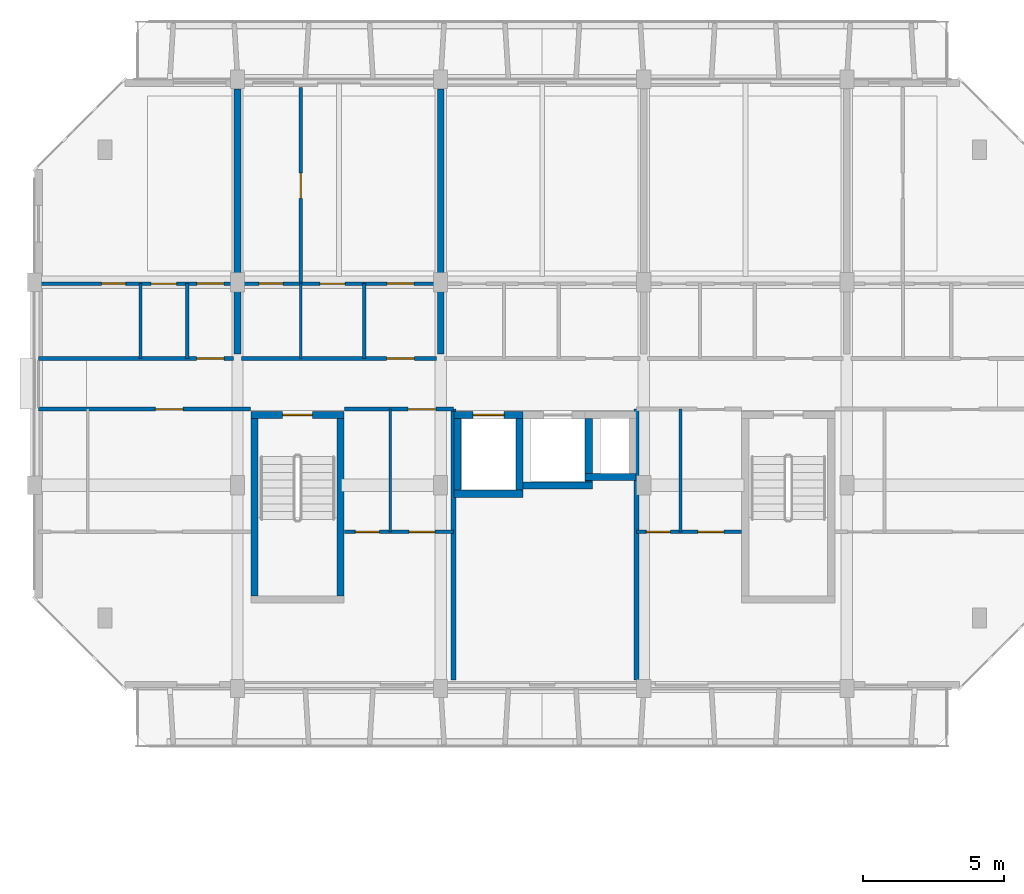
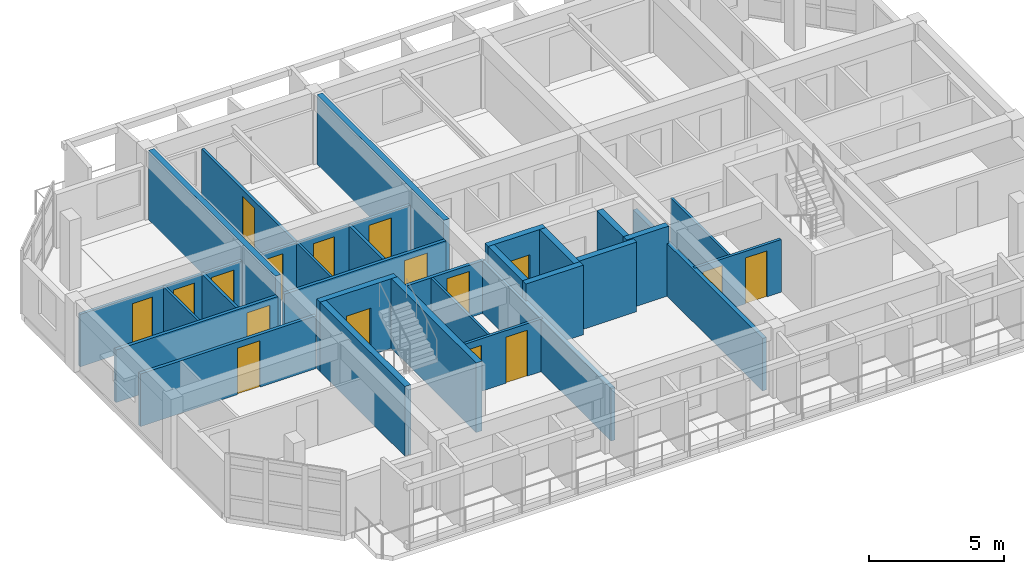
# One storey, part 18 of 43: 29 walls, 17 doors, 17 openings.
"""IFC4 building model written with IfcOpenShell, lengths in metres."""

from ifc_helpers import new_model, si_unit, direction, frame, frame_2d, origin, place, context, subcontext, project, spatial, rectangle, extrude, material, layer, layer_set, type_object, element, fill, save


model = new_model("IFC4")

# Units and contexts
model_context = context("Model", 3, precision=1e-05, world=origin(), true_north=direction((0.0, 1.0)))
body_context = subcontext(model_context, "Body", "Model", "MODEL_VIEW")
ifc_project = project(units=[si_unit("LENGTHUNIT", "METRE"), si_unit("AREAUNIT", "SQUARE_METRE"), si_unit("VOLUMEUNIT", "CUBIC_METRE"), si_unit("PLANEANGLEUNIT", "RADIAN"), si_unit("MASSUNIT", "GRAM", prefix="KILO")], contexts=[model_context])

# Site, building, storey
site_placement = place(None, origin())
site = spatial("IfcSite", under=ifc_project, at=site_placement, CompositionType="ELEMENT")
building_placement = place(site_placement, origin())
building = spatial("IfcBuilding", under=site, at=building_placement, Name="Ochrevale Crest", CompositionType="ELEMENT")
storey_placement = place(building_placement, frame((0.0, 0.0, 15.0)))
storey = spatial("IfcBuildingStorey", under=building, at=storey_placement, Name="L04", CompositionType="ELEMENT", Elevation=15.0)

# Wall, opening, door
ifc_material_1 = material(Name="Gypsum plasterboard", Category="gypsum")
ifc_layer_1 = layer(ifc_material_1, 0.139892578125)
ifc_layer_set_1 = layer_set([ifc_layer_1], Name="Gypsum plasterboard")
wall_type_1 = type_object("IfcWallType", Name="WL-COR-140", PredefinedType="PARTITIONING", material=ifc_layer_set_1)
wall_1_placement = place(storey_placement, frame((0.139892578125, 83.699951171875, 0.0), z_axis=(0.0, 0.0, 1.0), x_axis=(1.0, 0.0, 0.0)))
wall_1 = element("IfcWall", 1, at=wall_1_placement, inside=storey, type_object=wall_type_1, Name="Apartment B-L04-U1 corridor wall", PredefinedType="PARTITIONING", context=body_context, shape_type="SweptSolid", body=[
    extrude(rectangle(XDim=6.920166015625, YDim=0.139892578125, at=frame_2d((3.4599609375, 0.0))), origin(), (0.0, 0.0, 1.0), 2.3798828125),
])
opening_1_placement = place(wall_1_placement, frame((5.60498046875, 0.0, 0.0)))
opening_1 = element("IfcOpeningElement", 2, at=opening_1_placement, cuts=wall_1, Name="Opening FD01", PredefinedType="OPENING", context=body_context, shape_type="SweptSolid", body=[
    extrude(rectangle(XDim=0.97998046875, YDim=2.10009765625, at=frame_2d((0.489990234375, 1.050048828125))), frame((0.0, 0.080078125, 0.0), z_axis=(0.0, -1.0, 0.0), x_axis=(1.0, 0.0, 0.0)), (0.0, 0.0, 1.0), 0.159912109375),
])
ifc_material_2 = material(Name="Solid-core FSC hardwood", Category="wood")
door_type_1 = type_object("IfcDoorType", Name="DR-APT-950", OperationType="NOTDEFINED", PredefinedType="DOOR", material=ifc_material_2)
door_1_placement = place(opening_1_placement, origin())
door_1 = element("IfcDoor", 3, at=door_1_placement, inside=storey, type_object=door_type_1, Name="Apartment B-L04-U1 entrance door", OperationType="SINGLE_SWING_LEFT", OverallHeight=2.10009765625, OverallWidth=0.97998046875, PredefinedType="DOOR", context=body_context, shape_type="SweptSolid", body=[
    extrude(rectangle(XDim=0.97998046875, YDim=2.10009765625, at=frame_2d((0.489990234375, 1.050048828125))), frame((0.0, 0.02490234375, 0.0), z_axis=(0.0, -1.0, 0.0), x_axis=(1.0, 0.0, 0.0)), (0.0, 0.0, 1.0), 0.050048828125),
])
fill(opening_1, door_1)

wall_2_placement = place(storey_placement, frame((7.340087890625, 83.699951171875, 0.0), z_axis=(0.0, 0.0, 1.0), x_axis=(1.0, 0.0, 0.0)))
wall_2 = element("IfcWall", 4, at=wall_2_placement, inside=storey, type_object=wall_type_1, Name="Apartment B-L04-U2 corridor wall", PredefinedType="PARTITIONING", context=body_context, shape_type="SweptSolid", body=[
    extrude(rectangle(XDim=6.919921875, YDim=0.139892578125, at=frame_2d((3.4599609375, 0.0))), origin(), (0.0, 0.0, 1.0), 2.3798828125),
])
opening_2_placement = place(wall_2_placement, frame((5.14501953125, 0.0, 0.0)))
opening_2 = element("IfcOpeningElement", 5, at=opening_2_placement, cuts=wall_2, Name="Opening FD01", PredefinedType="OPENING", context=body_context, shape_type="SweptSolid", body=[
    extrude(rectangle(XDim=0.97998046875, YDim=2.10009765625, at=frame_2d((0.489990234375, 1.050048828125))), frame((0.0, 0.080078125, 0.0), z_axis=(0.0, -1.0, 0.0), x_axis=(1.0, 0.0, 0.0)), (0.0, 0.0, 1.0), 0.159912109375),
])
door_2_placement = place(opening_2_placement, origin())
door_2 = element("IfcDoor", 6, at=door_2_placement, inside=storey, type_object=door_type_1, Name="Apartment B-L04-U2 entrance door", OperationType="SINGLE_SWING_LEFT", OverallHeight=2.10009765625, OverallWidth=0.97998046875, PredefinedType="DOOR", context=body_context, shape_type="SweptSolid", body=[
    extrude(rectangle(XDim=0.97998046875, YDim=2.10009765625, at=frame_2d((0.489990234375, 1.050048828125))), frame((0.0, 0.02490234375, 0.0), z_axis=(0.0, -1.0, 0.0), x_axis=(1.0, 0.0, 0.0)), (0.0, 0.0, 1.0), 0.050048828125),
])
fill(opening_2, door_2)

wall_3_placement = place(storey_placement, frame((0.139892578125, 81.89990234375, 0.0), z_axis=(0.0, 0.0, 1.0), x_axis=(1.0, 0.0, 0.0)))
wall_3 = element("IfcWall", 7, at=wall_3_placement, inside=storey, type_object=wall_type_1, Name="Suite B-L04-CW corridor wall", PredefinedType="PARTITIONING", context=body_context, shape_type="SweptSolid", body=[
    extrude(rectangle(XDim=7.52001953125, YDim=0.139892578125, at=frame_2d((3.760009765625, 0.0))), origin(), (0.0, 0.0, 1.0), 2.3798828125),
])
opening_3_placement = place(wall_3_placement, frame((4.14501953125, 0.0, 0.0)))
opening_3 = element("IfcOpeningElement", 8, at=opening_3_placement, cuts=wall_3, Name="Opening FD01", PredefinedType="OPENING", context=body_context, shape_type="SweptSolid", body=[
    extrude(rectangle(XDim=0.97998046875, YDim=2.10009765625, at=frame_2d((0.489990234375, 1.050048828125))), frame((0.0, 0.080078125, 0.0), z_axis=(0.0, -1.0, 0.0), x_axis=(1.0, 0.0, 0.0)), (0.0, 0.0, 1.0), 0.159912109375),
])
door_3_placement = place(opening_3_placement, origin())
door_3 = element("IfcDoor", 9, at=door_3_placement, inside=storey, type_object=door_type_1, Name="Suite B-L04-CW entrance door", OperationType="SINGLE_SWING_LEFT", OverallHeight=2.10009765625, OverallWidth=0.97998046875, PredefinedType="DOOR", context=body_context, shape_type="SweptSolid", body=[
    extrude(rectangle(XDim=0.97998046875, YDim=2.10009765625, at=frame_2d((0.489990234375, 1.050048828125))), frame((0.0, 0.02490234375, 0.0), z_axis=(0.0, -1.0, 0.0), x_axis=(1.0, 0.0, 0.0)), (0.0, 0.0, 1.0), 0.050048828125),
])
fill(opening_3, door_3)

wall_4_placement = place(storey_placement, frame((10.989990234375, 81.89990234375, 0.0), z_axis=(0.0, 0.0, 1.0), x_axis=(1.0, 0.0, 0.0)))
wall_4 = element("IfcWall", 10, at=wall_4_placement, inside=storey, type_object=wall_type_1, Name="Suite B-L04-MW corridor wall", PredefinedType="PARTITIONING", context=body_context, shape_type="SweptSolid", body=[
    extrude(rectangle(XDim=3.8701171875, YDim=0.139892578125, at=frame_2d((1.93505859375, 0.0))), origin(), (0.0, 0.0, 1.0), 2.3798828125),
])
opening_4_placement = place(wall_4_placement, frame((3.23779296875, 0.0, 0.0), z_axis=(0.0, 0.0, 1.0), x_axis=(-1.0, 0.0, 0.0)))
opening_4 = element("IfcOpeningElement", 11, at=opening_4_placement, cuts=wall_4, Name="Opening FD01", PredefinedType="OPENING", context=body_context, shape_type="SweptSolid", body=[
    extrude(rectangle(XDim=0.97998046875, YDim=2.10009765625, at=frame_2d((0.489990234375, 1.050048828125))), frame((0.0, 0.080078125, 0.0), z_axis=(0.0, -1.0, 0.0), x_axis=(1.0, 0.0, 0.0)), (0.0, 0.0, 1.0), 0.159912109375),
])
door_4_placement = place(opening_4_placement, origin())
door_4 = element("IfcDoor", 12, at=door_4_placement, inside=storey, type_object=door_type_1, Name="Suite B-L04-MW entrance door", OperationType="SINGLE_SWING_RIGHT", OverallHeight=2.10009765625, OverallWidth=0.97998046875, PredefinedType="DOOR", context=body_context, shape_type="SweptSolid", body=[
    extrude(rectangle(XDim=0.97998046875, YDim=2.10009765625, at=frame_2d((0.489990234375, 1.050048828125))), frame((0.0, 0.02490234375, 0.0), z_axis=(0.0, -1.0, 0.0), x_axis=(1.0, 0.0, 0.0)), (0.0, 0.0, 1.0), 0.050048828125),
])
fill(opening_4, door_4)

ifc_material_3 = material(Name="Precast concrete C50/60", Category="concrete")
ifc_layer_2 = layer(ifc_material_3, 0.2548828125)
ifc_layer_set_2 = layer_set([ifc_layer_2], Name="Precast concrete C50/60")
wall_type_2 = type_object("IfcWallType", Name="WL-CORE-255", PredefinedType="SHEAR", material=ifc_layer_set_2)
wall_5_placement = place(storey_placement, frame((7.672607421875, 81.699951171875, 0.0), z_axis=(0.0, 0.0, 1.0), x_axis=(1.0, 0.0, 0.0)))
wall_5 = element("IfcWall", 13, at=wall_5_placement, inside=storey, type_object=wall_type_2, Name="Block B L04 Stair 1 precast core shear wall N", PredefinedType="SHEAR", context=body_context, shape_type="SweptSolid", body=[
    extrude(rectangle(XDim=3.304931640625, YDim=0.2548828125, at=frame_2d((1.65234375, 0.0))), origin(), (0.0, 0.0, 1.0), 3.14990234375),
])
opening_5_placement = place(wall_5_placement, frame((2.177490234375, 0.0, 0.0), z_axis=(0.0, 0.0, 1.0), x_axis=(-1.0, 0.0, 0.0)))
opening_5 = element("IfcOpeningElement", 14, at=opening_5_placement, cuts=wall_5, Name="Opening FD03", PredefinedType="OPENING", context=body_context, shape_type="SweptSolid", body=[
    extrude(rectangle(XDim=1.050048828125, YDim=2.1201171875, at=frame_2d((0.52490234375, 1.06005859375))), frame((0.0, 0.137451171875, 0.0), z_axis=(0.0, -1.0, 0.0), x_axis=(1.0, 0.0, 0.0)), (0.0, 0.0, 1.0), 0.27490234375),
])
door_type_2 = type_object("IfcDoorType", Name="DR-ST-1050", OperationType="NOTDEFINED", PredefinedType="DOOR", material=ifc_material_2)
door_5_placement = place(opening_5_placement, origin())
door_5 = element("IfcDoor", 15, at=door_5_placement, inside=storey, type_object=door_type_2, Name="Block B L04 fire stair 1 door", OperationType="SINGLE_SWING_RIGHT", OverallHeight=2.1201171875, OverallWidth=1.050048828125, PredefinedType="DOOR", context=body_context, shape_type="SweptSolid", body=[
    extrude(rectangle(XDim=1.050048828125, YDim=2.1201171875, at=frame_2d((0.52490234375, 1.06005859375))), frame((0.0, 0.02490234375, 0.0), z_axis=(0.0, -1.0, 0.0), x_axis=(1.0, 0.0, 0.0)), (0.0, 0.0, 1.0), 0.050048828125),
])
fill(opening_5, door_5)

# Walls
for number, where, z_axis, x_axis, name in (
    (16, (7.800048828125, 75.277587890625, 0.0), (0.0, 0.0, 1.0), (0.0, 1.0, 0.0), "Block B L04 Stair 1 precast core shear wall W"),
    (17, (10.85009765625, 75.277587890625, 0.0), (0.0, 0.0, 1.0), (0.0, 1.0, 0.0), "Block B L04 Stair 1 precast core shear wall E"),
):
    element("IfcWall", number, at=place(storey_placement, frame(where, z_axis=z_axis, x_axis=x_axis)), inside=storey, type_object=wall_type_2, Name=name, PredefinedType="SHEAR", context=body_context, shape_type="SweptSolid", body=[
        extrude(rectangle(XDim=6.294921875, YDim=0.2548828125, at=frame_2d((3.1474609375, 0.0))), origin(), (0.0, 0.0, 1.0), 3.14990234375),
    ])
wall_6_placement = place(storey_placement, frame((14.87255859375, 78.89990234375, 0.0), z_axis=(0.0, 0.0, 1.0), x_axis=(1.0, 0.0, 0.0)))
element("IfcWall", 18, at=wall_6_placement, inside=storey, type_object=wall_type_2, Name="Block B L04 Lift 1 precast shaft shear wall S", PredefinedType="SHEAR", context=body_context, shape_type="SweptSolid", body=[
    extrude(rectangle(XDim=2.454833984375, YDim=0.2548828125, at=frame_2d((1.2275390625, 0.0))), origin(), (0.0, 0.0, 1.0), 3.14990234375),
])

# Wall, opening, door
wall_7_placement = place(storey_placement, frame((14.87255859375, 81.699951171875, 0.0), z_axis=(0.0, 0.0, 1.0), x_axis=(1.0, 0.0, 0.0)))
wall_7 = element("IfcWall", 19, at=wall_7_placement, inside=storey, type_object=wall_type_2, Name="Block B L04 Lift 1 precast shaft shear wall N", PredefinedType="SHEAR", context=body_context, shape_type="SweptSolid", body=[
    extrude(rectangle(XDim=2.454833984375, YDim=0.2548828125, at=frame_2d((1.2275390625, 0.0))), origin(), (0.0, 0.0, 1.0), 3.14990234375),
])
opening_6_placement = place(wall_7_placement, frame((0.677490234375, 0.0, 0.0)))
opening_6 = element("IfcOpeningElement", 20, at=opening_6_placement, cuts=wall_7, Name="Opening LD01", PredefinedType="OPENING", context=body_context, shape_type="SweptSolid", body=[
    extrude(rectangle(XDim=1.10009765625, YDim=2.14990234375, at=frame_2d((0.550048828125, 1.074951171875))), frame((0.0, 0.137451171875, 0.0), z_axis=(0.0, -1.0, 0.0), x_axis=(1.0, 0.0, 0.0)), (0.0, 0.0, 1.0), 0.27490234375),
])
door_type_3 = type_object("IfcDoorType", Name="DR-LIFT-1100", OperationType="NOTDEFINED", PredefinedType="DOOR", material=ifc_material_2)
door_6_placement = place(opening_6_placement, origin())
door_6 = element("IfcDoor", 21, at=door_6_placement, inside=storey, type_object=door_type_3, Name="Lift LF-B1 L04 sliding landing door", OperationType="SLIDING_TO_LEFT", OverallHeight=2.14990234375, OverallWidth=1.10009765625, PredefinedType="DOOR", context=body_context, shape_type="SweptSolid", body=[
    extrude(rectangle(XDim=1.10009765625, YDim=2.14990234375, at=frame_2d((0.550048828125, 1.074951171875))), frame((0.0, 0.02490234375, 0.0), z_axis=(0.0, -1.0, 0.0), x_axis=(1.0, 0.0, 0.0)), (0.0, 0.0, 1.0), 0.050048828125),
])
fill(opening_6, door_6)

# Walls
for number, where, z_axis, x_axis, name in (
    (22, (15.0, 79.027587890625, 0.0), (0.0, 0.0, 1.0), (0.0, 1.0, 0.0), "Block B L04 Lift 1 precast shaft shear wall W"),
    (23, (17.199951171875, 79.027587890625, 0.0), (0.0, 0.0, 1.0), (0.0, 1.0, 0.0), "Block B L04 Lift 1 precast shaft shear wall E"),
):
    element("IfcWall", number, at=place(storey_placement, frame(where, z_axis=z_axis, x_axis=x_axis)), inside=storey, type_object=wall_type_2, Name=name, PredefinedType="SHEAR", context=body_context, shape_type="SweptSolid", body=[
        extrude(rectangle(XDim=2.544921875, YDim=0.2548828125, at=frame_2d((1.2724609375, 0.0))), origin(), (0.0, 0.0, 1.0), 3.14990234375),
    ])
wall_8_placement = place(storey_placement, frame((17.322509765625, 79.199951171875, 0.0), z_axis=(0.0, 0.0, 1.0), x_axis=(1.0, 0.0, 0.0)))
element("IfcWall", 24, at=wall_8_placement, inside=storey, type_object=wall_type_2, Name="Block B L04 Lift 2 precast shaft shear wall S", PredefinedType="SHEAR", context=body_context, shape_type="SweptSolid", body=[
    extrude(rectangle(XDim=2.455078125, YDim=0.2548828125, at=frame_2d((1.2275390625, 0.0))), origin(), (0.0, 0.0, 1.0), 3.14990234375),
])
wall_9_placement = place(storey_placement, frame((19.64990234375, 79.327392578125, 0.0), z_axis=(0.0, 0.0, 1.0), x_axis=(0.0, 1.0, 0.0)))
element("IfcWall", 25, at=wall_9_placement, inside=storey, type_object=wall_type_2, Name="Block B L04 Lift 2 precast shaft shear wall E", PredefinedType="SHEAR", context=body_context, shape_type="SweptSolid", body=[
    extrude(rectangle(XDim=2.2451171875, YDim=0.2548828125, at=frame_2d((1.12255859375, 0.0))), origin(), (0.0, 0.0, 1.0), 3.14990234375),
])
wall_10_placement = place(storey_placement, frame((19.5224609375, 79.5, 0.0), z_axis=(0.0, 0.0, 1.0), x_axis=(1.0, 0.0, 0.0)))
element("IfcWall", 26, at=wall_10_placement, inside=storey, type_object=wall_type_2, Name="Block B L04 services riser shaft core wall S", PredefinedType="SHEAR", context=body_context, shape_type="SweptSolid", body=[
    extrude(rectangle(XDim=1.804931640625, YDim=0.2548828125, at=frame_2d((0.90234375, 0.0))), origin(), (0.0, 0.0, 1.0), 3.14990234375),
])
ifc_layer_3 = layer(ifc_material_1, 0.1201171875)
ifc_layer_set_3 = layer_set([ifc_layer_3], Name="Gypsum plasterboard")
wall_type_3 = type_object("IfcWallType", Name="WL-PART-120", PredefinedType="PARTITIONING", material=ifc_layer_set_3)
wall_11_placement = place(storey_placement, frame((5.409912109375, 83.699951171875, 0.0), z_axis=(0.0, 0.0, 1.0), x_axis=(0.0, 1.0, 0.0)))
element("IfcWall", 27, at=wall_11_placement, inside=storey, type_object=wall_type_3, Name="Apartment B-L04-U1 kitchen-foyer wall", PredefinedType="PARTITIONING", context=body_context, shape_type="SweptSolid", body=[
    extrude(rectangle(XDim=2.650146484375, YDim=0.1201171875, at=frame_2d((1.3251953125, 0.0))), origin(), (0.0, 0.0, 1.0), 2.375),
])

# Wall, openings, doors
wall_12_placement = place(storey_placement, frame((0.139892578125, 86.35009765625, 0.0), z_axis=(0.0, 0.0, 1.0), x_axis=(1.0, 0.0, 0.0)))
wall_12 = element("IfcWall", 28, at=wall_12_placement, inside=storey, type_object=wall_type_3, Name="Apartment B-L04-U1 central partition", PredefinedType="PARTITIONING", context=body_context, shape_type="SweptSolid", body=[
    extrude(rectangle(XDim=6.920166015625, YDim=0.1201171875, at=frame_2d((3.4599609375, 0.0))), origin(), (0.0, 0.0, 1.0), 2.375),
])
opening_7_placement = place(wall_12_placement, frame((3.090087890625, 0.0, 0.0), z_axis=(0.0, 0.0, 1.0), x_axis=(-1.0, 0.0, 0.0)))
opening_7 = element("IfcOpeningElement", 29, at=opening_7_placement, cuts=wall_12, Name="Opening ID01", PredefinedType="OPENING", context=body_context, shape_type="SweptSolid", body=[
    extrude(rectangle(XDim=0.85009765625, YDim=2.080078125, at=frame_2d((0.425048828125, 1.0400390625))), frame((0.0, 0.070068359375, 0.0), z_axis=(0.0, -1.0, 0.0), x_axis=(1.0, 0.0, 0.0)), (0.0, 0.0, 1.0), 0.14013671875),
])
opening_8_placement = place(wall_12_placement, frame((3.9951171875, 0.0, 0.0)))
opening_8 = element("IfcOpeningElement", 30, at=opening_8_placement, cuts=wall_12, Name="Opening ID02", PredefinedType="OPENING", context=body_context, shape_type="SweptSolid", body=[
    extrude(rectangle(XDim=0.89990234375, YDim=2.080078125, at=frame_2d((0.449951171875, 1.0400390625))), frame((0.0, 0.070068359375, 0.0), z_axis=(0.0, -1.0, 0.0), x_axis=(1.0, 0.0, 0.0)), (0.0, 0.0, 1.0), 0.14013671875),
])
opening_9_placement = place(wall_12_placement, frame((6.570068359375, 0.0, 0.0), z_axis=(0.0, 0.0, 1.0), x_axis=(-1.0, 0.0, 0.0)))
opening_9 = element("IfcOpeningElement", 31, at=opening_9_placement, cuts=wall_12, Name="Opening ID06", PredefinedType="OPENING", context=body_context, shape_type="SweptSolid", body=[
    extrude(rectangle(XDim=0.949951171875, YDim=2.080078125, at=frame_2d((0.47509765625, 1.0400390625))), frame((0.0, 0.070068359375, 0.0), z_axis=(0.0, -1.0, 0.0), x_axis=(1.0, 0.0, 0.0)), (0.0, 0.0, 1.0), 0.14013671875),
])
door_type_4 = type_object("IfcDoorType", Name="DR-INT-900", OperationType="NOTDEFINED", PredefinedType="DOOR", material=ifc_material_2)
door_7_placement = place(opening_8_placement, origin())
door_7 = element("IfcDoor", 32, at=door_7_placement, inside=storey, type_object=door_type_4, Name="Apartment B-L04-U1 Kitchen door", OperationType="SINGLE_SWING_LEFT", OverallHeight=2.080078125, OverallWidth=0.89990234375, PredefinedType="DOOR", context=body_context, shape_type="SweptSolid", body=[
    extrude(rectangle(XDim=0.89990234375, YDim=2.080078125, at=frame_2d((0.449951171875, 1.0400390625))), frame((0.0, 0.02490234375, 0.0), z_axis=(0.0, -1.0, 0.0), x_axis=(1.0, 0.0, 0.0)), (0.0, 0.0, 1.0), 0.050048828125),
])
fill(opening_8, door_7)
door_type_5 = type_object("IfcDoorType", Name="DR-INT-950", OperationType="NOTDEFINED", PredefinedType="DOOR", material=ifc_material_2)
door_8_placement = place(opening_9_placement, origin())
door_8 = element("IfcDoor", 33, at=door_8_placement, inside=storey, type_object=door_type_5, Name="Apartment B-L04-U1 Living Foyer door", OperationType="SINGLE_SWING_RIGHT", OverallHeight=2.080078125, OverallWidth=0.949951171875, PredefinedType="DOOR", context=body_context, shape_type="SweptSolid", body=[
    extrude(rectangle(XDim=0.949951171875, YDim=2.080078125, at=frame_2d((0.47509765625, 1.0400390625))), frame((0.0, 0.02490234375, 0.0), z_axis=(0.0, -1.0, 0.0), x_axis=(1.0, 0.0, 0.0)), (0.0, 0.0, 1.0), 0.050048828125),
])
fill(opening_9, door_8)
door_type_6 = type_object("IfcDoorType", Name="DR-WC-850", OperationType="NOTDEFINED", PredefinedType="DOOR", material=ifc_material_2)
door_9_placement = place(opening_7_placement, origin())
door_9 = element("IfcDoor", 34, at=door_9_placement, inside=storey, type_object=door_type_6, Name="Apartment B-L04-U1 Bathroom door", OperationType="SINGLE_SWING_RIGHT", OverallHeight=2.080078125, OverallWidth=0.85009765625, PredefinedType="DOOR", context=body_context, shape_type="SweptSolid", body=[
    extrude(rectangle(XDim=0.85009765625, YDim=2.080078125, at=frame_2d((0.425048828125, 1.0400390625))), frame((0.0, 0.02490234375, 0.0), z_axis=(0.0, -1.0, 0.0), x_axis=(1.0, 0.0, 0.0)), (0.0, 0.0, 1.0), 0.050048828125),
])
fill(opening_7, door_9)

# Wall
wall_13_placement = place(storey_placement, frame((11.68994140625, 83.699951171875, 0.0), z_axis=(0.0, 0.0, 1.0), x_axis=(0.0, 1.0, 0.0)))
element("IfcWall", 35, at=wall_13_placement, inside=storey, type_object=wall_type_3, Name="Apartment B-L04-U2 kitchen-foyer wall", PredefinedType="PARTITIONING", context=body_context, shape_type="SweptSolid", body=[
    extrude(rectangle(XDim=2.650146484375, YDim=0.1201171875, at=frame_2d((1.3251953125, 0.0))), origin(), (0.0, 0.0, 1.0), 2.375),
])

# Wall, openings, doors
wall_14_placement = place(storey_placement, frame((7.340087890625, 86.35009765625, 0.0), z_axis=(0.0, 0.0, 1.0), x_axis=(1.0, 0.0, 0.0)))
wall_14 = element("IfcWall", 36, at=wall_14_placement, inside=storey, type_object=wall_type_3, Name="Apartment B-L04-U2 central partition", PredefinedType="PARTITIONING", context=body_context, shape_type="SweptSolid", body=[
    extrude(rectangle(XDim=6.919921875, YDim=0.1201171875, at=frame_2d((3.4599609375, 0.0))), origin(), (0.0, 0.0, 1.0), 2.375),
])
opening_10_placement = place(wall_14_placement, frame((1.47509765625, 0.0, 0.0), z_axis=(0.0, 0.0, 1.0), x_axis=(-1.0, 0.0, 0.0)))
opening_10 = element("IfcOpeningElement", 37, at=opening_10_placement, cuts=wall_14, Name="Opening ID01", PredefinedType="OPENING", context=body_context, shape_type="SweptSolid", body=[
    extrude(rectangle(XDim=0.85009765625, YDim=2.080078125, at=frame_2d((0.425048828125, 1.0400390625))), frame((0.0, 0.070068359375, 0.0), z_axis=(0.0, -1.0, 0.0), x_axis=(1.0, 0.0, 0.0)), (0.0, 0.0, 1.0), 0.14013671875),
])
opening_11_placement = place(wall_14_placement, frame((2.77490234375, 0.0, 0.0)))
opening_11 = element("IfcOpeningElement", 38, at=opening_11_placement, cuts=wall_14, Name="Opening ID02", PredefinedType="OPENING", context=body_context, shape_type="SweptSolid", body=[
    extrude(rectangle(XDim=0.89990234375, YDim=2.080078125, at=frame_2d((0.449951171875, 1.0400390625))), frame((0.0, 0.070068359375, 0.0), z_axis=(0.0, -1.0, 0.0), x_axis=(1.0, 0.0, 0.0)), (0.0, 0.0, 1.0), 0.14013671875),
])
opening_12_placement = place(wall_14_placement, frame((6.10986328125, 0.0, 0.0), z_axis=(0.0, 0.0, 1.0), x_axis=(-1.0, 0.0, 0.0)))
opening_12 = element("IfcOpeningElement", 39, at=opening_12_placement, cuts=wall_14, Name="Opening ID06", PredefinedType="OPENING", context=body_context, shape_type="SweptSolid", body=[
    extrude(rectangle(XDim=0.949951171875, YDim=2.080078125, at=frame_2d((0.47509765625, 1.0400390625))), frame((0.0, 0.070068359375, 0.0), z_axis=(0.0, -1.0, 0.0), x_axis=(1.0, 0.0, 0.0)), (0.0, 0.0, 1.0), 0.14013671875),
])
door_10_placement = place(opening_11_placement, origin())
door_10 = element("IfcDoor", 40, at=door_10_placement, inside=storey, type_object=door_type_4, Name="Apartment B-L04-U2 Kitchen door", OperationType="SINGLE_SWING_LEFT", OverallHeight=2.080078125, OverallWidth=0.89990234375, PredefinedType="DOOR", context=body_context, shape_type="SweptSolid", body=[
    extrude(rectangle(XDim=0.89990234375, YDim=2.080078125, at=frame_2d((0.449951171875, 1.0400390625))), frame((0.0, 0.02490234375, 0.0), z_axis=(0.0, -1.0, 0.0), x_axis=(1.0, 0.0, 0.0)), (0.0, 0.0, 1.0), 0.050048828125),
])
fill(opening_11, door_10)
door_11_placement = place(opening_12_placement, origin())
door_11 = element("IfcDoor", 41, at=door_11_placement, inside=storey, type_object=door_type_5, Name="Apartment B-L04-U2 Living Foyer door", OperationType="SINGLE_SWING_RIGHT", OverallHeight=2.080078125, OverallWidth=0.949951171875, PredefinedType="DOOR", context=body_context, shape_type="SweptSolid", body=[
    extrude(rectangle(XDim=0.949951171875, YDim=2.080078125, at=frame_2d((0.47509765625, 1.0400390625))), frame((0.0, 0.02490234375, 0.0), z_axis=(0.0, -1.0, 0.0), x_axis=(1.0, 0.0, 0.0)), (0.0, 0.0, 1.0), 0.050048828125),
])
fill(opening_12, door_11)
door_12_placement = place(opening_10_placement, origin())
door_12 = element("IfcDoor", 42, at=door_12_placement, inside=storey, type_object=door_type_6, Name="Apartment B-L04-U2 Bathroom door", OperationType="SINGLE_SWING_RIGHT", OverallHeight=2.080078125, OverallWidth=0.85009765625, PredefinedType="DOOR", context=body_context, shape_type="SweptSolid", body=[
    extrude(rectangle(XDim=0.85009765625, YDim=2.080078125, at=frame_2d((0.425048828125, 1.0400390625))), frame((0.0, 0.02490234375, 0.0), z_axis=(0.0, -1.0, 0.0), x_axis=(1.0, 0.0, 0.0)), (0.0, 0.0, 1.0), 0.050048828125),
])
fill(opening_10, door_12)

# Wall, opening, door
wall_15_placement = place(storey_placement, frame((9.43994140625, 86.35009765625, 0.0), z_axis=(0.0, 0.0, 1.0), x_axis=(0.0, 1.0, 0.0)))
wall_15 = element("IfcWall", 43, at=wall_15_placement, inside=storey, type_object=wall_type_3, Name="Apartment B-L04-U2 bedroom partition", PredefinedType="PARTITIONING", context=body_context, shape_type="SweptSolid", body=[
    extrude(rectangle(XDim=6.949951171875, YDim=0.1201171875, at=frame_2d((3.47509765625, 0.0))), origin(), (0.0, 0.0, 1.0), 2.375),
])
opening_13_placement = place(wall_15_placement, frame((3.02490234375, 0.0, 0.0)))
opening_13 = element("IfcOpeningElement", 44, at=opening_13_placement, cuts=wall_15, Name="Opening ID02", PredefinedType="OPENING", context=body_context, shape_type="SweptSolid", body=[
    extrude(rectangle(XDim=0.89990234375, YDim=2.080078125, at=frame_2d((0.449951171875, 1.0400390625))), frame((0.0, 0.070068359375, 0.0), z_axis=(0.0, -1.0, 0.0), x_axis=(1.0, 0.0, 0.0)), (0.0, 0.0, 1.0), 0.14013671875),
])
door_13_placement = place(opening_13_placement, origin())
door_13 = element("IfcDoor", 45, at=door_13_placement, inside=storey, type_object=door_type_4, Name="Apartment B-L04-U2 Master Bedroom door", OperationType="SINGLE_SWING_LEFT", OverallHeight=2.080078125, OverallWidth=0.89990234375, PredefinedType="DOOR", context=body_context, shape_type="SweptSolid", body=[
    extrude(rectangle(XDim=0.89990234375, YDim=2.080078125, at=frame_2d((0.449951171875, 1.0400390625))), frame((0.0, 0.02490234375, 0.0), z_axis=(0.0, -1.0, 0.0), x_axis=(1.0, 0.0, 0.0)), (0.0, 0.0, 1.0), 0.050048828125),
])
fill(opening_13, door_13)

# Wall, openings, doors
wall_16_placement = place(storey_placement, frame((10.989990234375, 77.550048828125, 0.0), z_axis=(0.0, 0.0, 1.0), x_axis=(1.0, 0.0, 0.0)))
wall_16 = element("IfcWall", 46, at=wall_16_placement, inside=storey, type_object=wall_type_3, Name="Suite B-L04-MW internal wall", PredefinedType="PARTITIONING", context=body_context, shape_type="SweptSolid", body=[
    extrude(rectangle(XDim=3.8701171875, YDim=0.1201171875, at=frame_2d((1.93505859375, 0.0))), origin(), (0.0, 0.0, 1.0), 2.3798828125),
])
opening_14_placement = place(wall_16_placement, frame((0.3876953125, 0.0, 0.0)))
opening_14 = element("IfcOpeningElement", 47, at=opening_14_placement, cuts=wall_16, Name="Opening ID01", PredefinedType="OPENING", context=body_context, shape_type="SweptSolid", body=[
    extrude(rectangle(XDim=0.85009765625, YDim=2.080078125, at=frame_2d((0.425048828125, 1.0400390625))), frame((0.0, 0.070068359375, 0.0), z_axis=(0.0, -1.0, 0.0), x_axis=(1.0, 0.0, 0.0)), (0.0, 0.0, 1.0), 0.14013671875),
])
opening_15_placement = place(wall_16_placement, frame((3.20751953125, 0.0, 0.0), z_axis=(0.0, 0.0, 1.0), x_axis=(-1.0, 0.0, 0.0)))
opening_15 = element("IfcOpeningElement", 48, at=opening_15_placement, cuts=wall_16, Name="Opening ID04", PredefinedType="OPENING", context=body_context, shape_type="SweptSolid", body=[
    extrude(rectangle(XDim=0.919921875, YDim=2.080078125, at=frame_2d((0.4599609375, 1.0400390625))), frame((0.0, 0.070068359375, 0.0), z_axis=(0.0, -1.0, 0.0), x_axis=(1.0, 0.0, 0.0)), (0.0, 0.0, 1.0), 0.14013671875),
])
door_type_7 = type_object("IfcDoorType", Name="DR-INT-920", OperationType="NOTDEFINED", PredefinedType="DOOR", material=ifc_material_2)
door_14_placement = place(opening_15_placement, origin())
door_14 = element("IfcDoor", 49, at=door_14_placement, inside=storey, type_object=door_type_7, Name="Suite B-L04-MW Courtyard Studio Living door", OperationType="SINGLE_SWING_RIGHT", OverallHeight=2.080078125, OverallWidth=0.919921875, PredefinedType="DOOR", context=body_context, shape_type="SweptSolid", body=[
    extrude(rectangle(XDim=0.919921875, YDim=2.080078125, at=frame_2d((0.4599609375, 1.0400390625))), frame((0.0, 0.02490234375, 0.0), z_axis=(0.0, -1.0, 0.0), x_axis=(1.0, 0.0, 0.0)), (0.0, 0.0, 1.0), 0.050048828125),
])
fill(opening_15, door_14)
door_15_placement = place(opening_14_placement, origin())
door_15 = element("IfcDoor", 50, at=door_15_placement, inside=storey, type_object=door_type_6, Name="Suite B-L04-MW Bathroom door", OperationType="SINGLE_SWING_LEFT", OverallHeight=2.080078125, OverallWidth=0.85009765625, PredefinedType="DOOR", context=body_context, shape_type="SweptSolid", body=[
    extrude(rectangle(XDim=0.85009765625, YDim=2.080078125, at=frame_2d((0.425048828125, 1.0400390625))), frame((0.0, 0.02490234375, 0.0), z_axis=(0.0, -1.0, 0.0), x_axis=(1.0, 0.0, 0.0)), (0.0, 0.0, 1.0), 0.050048828125),
])
fill(opening_14, door_15)

wall_17_placement = place(storey_placement, frame((21.340087890625, 77.550048828125, 0.0), z_axis=(0.0, 0.0, 1.0), x_axis=(1.0, 0.0, 0.0)))
wall_17 = element("IfcWall", 51, at=wall_17_placement, inside=storey, type_object=wall_type_3, Name="Suite B-L04-ME internal wall", PredefinedType="PARTITIONING", context=body_context, shape_type="SweptSolid", body=[
    extrude(rectangle(XDim=3.719970703125, YDim=0.1201171875, at=frame_2d((1.85986328125, 0.0))), origin(), (0.0, 0.0, 1.0), 2.3798828125),
])
opening_16_placement = place(wall_17_placement, frame((1.206298828125, 0.0, 0.0), z_axis=(0.0, 0.0, 1.0), x_axis=(-1.0, 0.0, 0.0)))
opening_16 = element("IfcOpeningElement", 52, at=opening_16_placement, cuts=wall_17, Name="Opening ID01", PredefinedType="OPENING", context=body_context, shape_type="SweptSolid", body=[
    extrude(rectangle(XDim=0.85009765625, YDim=2.080078125, at=frame_2d((0.425048828125, 1.0400390625))), frame((0.0, 0.070068359375, 0.0), z_axis=(0.0, -1.0, 0.0), x_axis=(1.0, 0.0, 0.0)), (0.0, 0.0, 1.0), 0.14013671875),
])
opening_17_placement = place(wall_17_placement, frame((2.18115234375, 0.0, 0.0)))
opening_17 = element("IfcOpeningElement", 53, at=opening_17_placement, cuts=wall_17, Name="Opening ID04", PredefinedType="OPENING", context=body_context, shape_type="SweptSolid", body=[
    extrude(rectangle(XDim=0.919921875, YDim=2.080078125, at=frame_2d((0.4599609375, 1.0400390625))), frame((0.0, 0.070068359375, 0.0), z_axis=(0.0, -1.0, 0.0), x_axis=(1.0, 0.0, 0.0)), (0.0, 0.0, 1.0), 0.14013671875),
])
door_16_placement = place(opening_17_placement, origin())
door_16 = element("IfcDoor", 54, at=door_16_placement, inside=storey, type_object=door_type_7, Name="Suite B-L04-ME Garden Alcove Studio door", OperationType="SINGLE_SWING_LEFT", OverallHeight=2.080078125, OverallWidth=0.919921875, PredefinedType="DOOR", context=body_context, shape_type="SweptSolid", body=[
    extrude(rectangle(XDim=0.919921875, YDim=2.080078125, at=frame_2d((0.4599609375, 1.0400390625))), frame((0.0, 0.02490234375, 0.0), z_axis=(0.0, -1.0, 0.0), x_axis=(1.0, 0.0, 0.0)), (0.0, 0.0, 1.0), 0.050048828125),
])
fill(opening_17, door_16)
door_17_placement = place(opening_16_placement, origin())
door_17 = element("IfcDoor", 55, at=door_17_placement, inside=storey, type_object=door_type_6, Name="Suite B-L04-ME Bathroom door", OperationType="SINGLE_SWING_RIGHT", OverallHeight=2.080078125, OverallWidth=0.85009765625, PredefinedType="DOOR", context=body_context, shape_type="SweptSolid", body=[
    extrude(rectangle(XDim=0.85009765625, YDim=2.080078125, at=frame_2d((0.425048828125, 1.0400390625))), frame((0.0, 0.02490234375, 0.0), z_axis=(0.0, -1.0, 0.0), x_axis=(1.0, 0.0, 0.0)), (0.0, 0.0, 1.0), 0.050048828125),
])
fill(opening_16, door_17)

# Walls
ifc_layer_4 = layer(ifc_material_3, 0.239990234375)
ifc_layer_set_4 = layer_set([ifc_layer_4], Name="Precast concrete C50/60")
wall_type_4 = type_object("IfcWallType", Name="WL-SHEAR-240", PredefinedType="SHEAR", material=ifc_layer_set_4)
for number, where, z_axis, x_axis, name in (
    (56, (7.199951171875, 83.85009765625, 0.0), (0.0, 0.0, 1.0), (0.0, 1.0, 0.0), "Block B L04 load-bearing precast cross-wall X=7.2"),
    (57, (14.39990234375, 83.85009765625, 0.0), (0.0, 0.0, 1.0), (0.0, 1.0, 0.0), "Block B L04 load-bearing precast cross-wall X=14.4"),
):
    element("IfcWall", number, at=place(storey_placement, frame(where, z_axis=z_axis, x_axis=x_axis)), inside=storey, type_object=wall_type_4, Name=name, PredefinedType="SHEAR", context=body_context, shape_type="SweptSolid", body=[
        extrude(rectangle(XDim=9.39990234375, YDim=0.239990234375, at=frame_2d((4.699951171875, 0.0))), origin(), (0.0, 0.0, 1.0), 3.14990234375),
    ])
ifc_layer_5 = layer(ifc_material_1, 0.169921875)
ifc_layer_set_5 = layer_set([ifc_layer_5], Name="Gypsum plasterboard")
wall_type_5 = type_object("IfcWallType", Name="WL-TEN-170", PredefinedType="PARTITIONING", material=ifc_layer_set_5)
for number, where, z_axis, x_axis, name in (
    (58, (14.860107421875, 72.300048828125, 0.0), (0.0, 0.0, 1.0), (0.0, 1.0, 0.0), "Suite B-L04-MW east party wall"),
    (59, (21.340087890625, 72.300048828125, 0.0), (0.0, 0.0, 1.0), (0.0, 1.0, 0.0), "Suite B-L04-ME west party wall"),
):
    element("IfcWall", number, at=place(storey_placement, frame(where, z_axis=z_axis, x_axis=x_axis)), inside=storey, type_object=wall_type_5, Name=name, PredefinedType="PARTITIONING", context=body_context, shape_type="SweptSolid", body=[
        extrude(rectangle(XDim=9.599853515625, YDim=0.169921875, at=frame_2d((4.7998046875, 0.0))), origin(), (0.0, 0.0, 1.0), 2.3798828125),
    ])
ifc_layer_6 = layer(ifc_material_1, 0.10009765625)
ifc_layer_set_6 = layer_set([ifc_layer_6], Name="Gypsum plasterboard")
wall_type_6 = type_object("IfcWallType", Name="WL-WET-100", PredefinedType="PARTITIONING", material=ifc_layer_set_6)
for number, where, z_axis, x_axis, name in (
    (60, (3.760009765625, 83.699951171875, 0.0), (0.0, 0.0, 1.0), (0.0, 1.0, 0.0), "Apartment B-L04-U1 bath-kitchen wall"),
    (61, (9.43994140625, 83.699951171875, 0.0), (0.0, 0.0, 1.0), (0.0, 1.0, 0.0), "Apartment B-L04-U2 bath-kitchen wall"),
):
    element("IfcWall", number, at=place(storey_placement, frame(where, z_axis=z_axis, x_axis=x_axis)), inside=storey, type_object=wall_type_6, Name=name, PredefinedType="PARTITIONING", context=body_context, shape_type="SweptSolid", body=[
        extrude(rectangle(XDim=2.650146484375, YDim=0.10009765625, at=frame_2d((1.3251953125, 0.0))), origin(), (0.0, 0.0, 1.0), 2.375),
    ])
for number, where, z_axis, x_axis, name in (
    (62, (12.615478515625, 77.550048828125, 0.0), (0.0, 0.0, 1.0), (0.0, 1.0, 0.0), "Suite B-L04-MW bathroom divider"),
    (63, (22.90234375, 77.550048828125, 0.0), (0.0, 0.0, 1.0), (0.0, 1.0, 0.0), "Suite B-L04-ME bathroom divider"),
):
    element("IfcWall", number, at=place(storey_placement, frame(where, z_axis=z_axis, x_axis=x_axis)), inside=storey, type_object=wall_type_6, Name=name, PredefinedType="PARTITIONING", context=body_context, shape_type="SweptSolid", body=[
        extrude(rectangle(XDim=4.349853515625, YDim=0.10009765625, at=frame_2d((2.1748046875, 0.0))), origin(), (0.0, 0.0, 1.0), 2.375),
    ])

save(model, "model.ifc")
